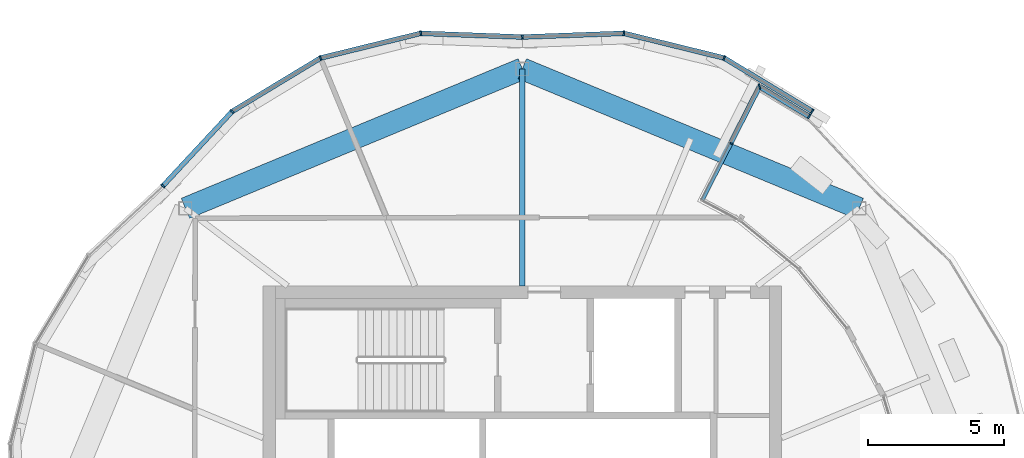
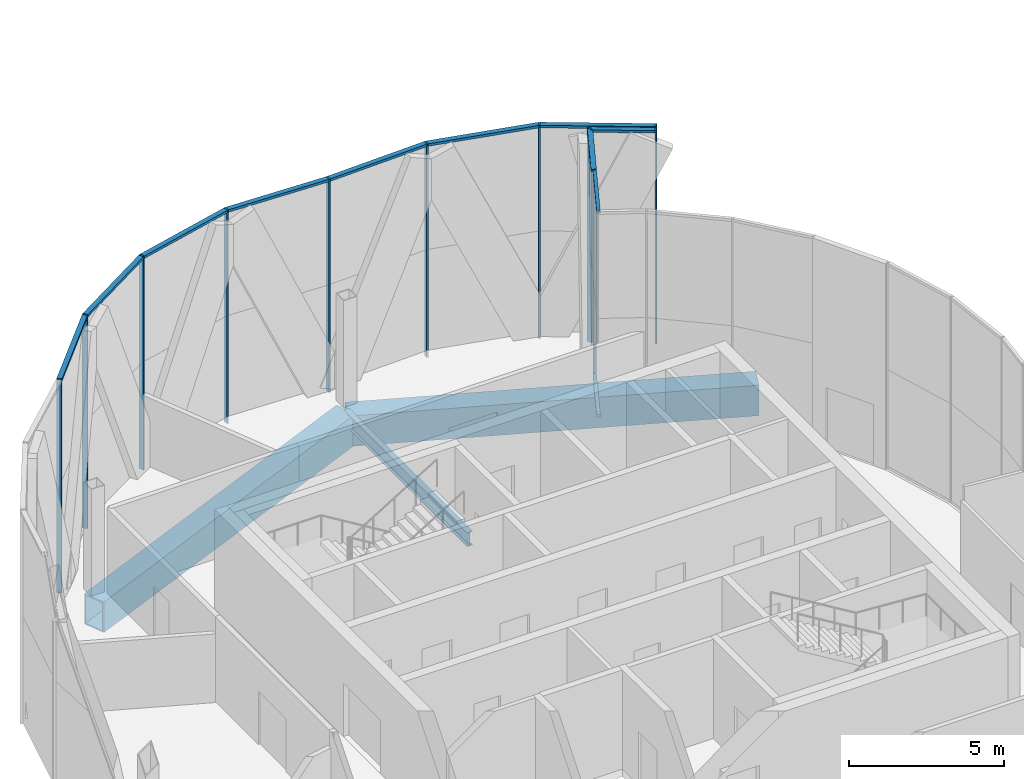
# One storey, part 8 of 24: 22 members, 3 beams, 4 elements without a shape of their own.
"""IFC4 building model written with IfcOpenShell, lengths in metres."""

from ifc_helpers import new_model, si_unit, direction, frame, origin, origin_2d, place, context, subcontext, project, spatial, rectangle, hollow_rectangle, i_section, extrude, material, material_profile, profile_set, type_object, element, aggregate, save


model = new_model("IFC4")

# Units and contexts
model_context = context("Model", 3, precision=1e-05, world=origin(), true_north=direction((0.0, 1.0)))
body_context = subcontext(model_context, "Body", "Model", "MODEL_VIEW")
ifc_project = project(units=[si_unit("LENGTHUNIT", "METRE"), si_unit("AREAUNIT", "SQUARE_METRE"), si_unit("VOLUMEUNIT", "CUBIC_METRE"), si_unit("PLANEANGLEUNIT", "RADIAN"), si_unit("MASSUNIT", "GRAM", prefix="KILO")], contexts=[model_context])

# Site, building, storey
site_placement = place(None, origin())
site = spatial("IfcSite", under=ifc_project, at=site_placement, CompositionType="ELEMENT")
building_placement = place(site_placement, origin())
building = spatial("IfcBuilding", under=site, at=building_placement, Name="Ogive Gate Towers", CompositionType="ELEMENT")
storey_placement = place(building_placement, frame((0.0, 0.0, 277.199951171875)))
storey = spatial("IfcBuildingStorey", under=building, at=storey_placement, Name="L65", CompositionType="ELEMENT", Elevation=277.199951171875)

# Beams
ifc_material_1 = material(Name="Steel SM460", Category="steel")
ifc_material_profile_1 = material_profile(ifc_material_1, hollow_rectangle(XDim=0.800048828125, YDim=1.199951171875, WallThickness=0.050048828125, at=origin_2d()), Name="BX 1200x800x50")
ifc_profile_set_1 = profile_set([ifc_material_profile_1], Name="Steel SM460")
beam_type_1 = type_object("IfcBeamType", Name="Edge girder BX 1200x800x50", PredefinedType="BEAM", material=ifc_profile_set_1)
for number, where, z_axis, x_axis, name in (
    (1, (-23.657470703125, 12.342529296875, -0.89990234375), (-0.923876732551, 0.382690191996, 0.0), (-0.382690191996, -0.923876732551, 0.0), "T1/L65/SBM021"),
    (2, (-36.0, 17.455078125, -0.89990234375), (-0.923876732551, -0.382690191996, 0.0), (0.382690191996, -0.923876732551, 0.0), "T1/L65/SBM022"),
):
    element("IfcBeam", number, at=place(storey_placement, frame(where, z_axis=z_axis, x_axis=x_axis)), inside=storey, type_object=beam_type_1, Name=name, PredefinedType="BEAM", context=body_context, shape_type="SweptSolid", body=[
        extrude(hollow_rectangle(XDim=0.800048828125, YDim=1.199951171875, WallThickness=0.050048828125, at=origin_2d()), origin(), (0.0, 0.0, 1.0), 13.359619140625),
    ])
ifc_material_2 = material(Name="Steel SM355", Category="steel")
ifc_material_profile_2 = material_profile(ifc_material_2, i_section(OverallWidth=0.2099609375, OverallDepth=0.550048828125, WebThickness=0.010986328125, FlangeThickness=0.01708984375, FilletRadius=0.02392578125, at=origin_2d()), Name="IPE 550")
ifc_profile_set_2 = profile_set([ifc_material_profile_2], Name="Steel SM355")
beam_type_2 = type_object("IfcBeamType", Name="Radial floor beam IPE 550", PredefinedType="BEAM", material=ifc_profile_set_2)
beam_placement = place(storey_placement, frame((-36.0, 9.5, -0.574951171875), z_axis=(0.0, 1.0, 0.0), x_axis=(-1.0, 0.0, 0.0)))
element("IfcBeam", 3, at=beam_placement, inside=storey, type_object=beam_type_2, Name="T1/L65/SBM011", PredefinedType="BEAM", context=body_context, shape_type="SweptSolid", body=[
    extrude(i_section(OverallWidth=0.2099609375, OverallDepth=0.550048828125, WebThickness=0.010986328125, FlangeThickness=0.01708984375, FilletRadius=0.02392578125, at=origin_2d()), origin(), (0.0, 0.0, 1.0), 7.955078125),
])

# Curtain wall, members
ifc_material_3 = material(Name="Pale metal aluminium", Category="aluminium")
curtain_wall_type_1 = type_object("IfcCurtainWallType", Name="Sky garden glazing", PredefinedType="NOTDEFINED", material=ifc_material_3)
curtain_wall_1_placement = place(storey_placement, origin())
curtain_wall_1 = element("IfcCurtainWall", 4, at=curtain_wall_1_placement, inside=storey, type_object=curtain_wall_type_1, Name="CW4 T1 ECW02", PredefinedType="NOTDEFINED")
ifc_material_profile_3 = material_profile(ifc_material_3, rectangle(XDim=0.1201171875, YDim=0.050048828125, at=origin_2d()), Name="50 x 120 aluminium box")
ifc_profile_set_3 = profile_set([ifc_material_profile_3], Name="Pale metal aluminium")
member_type_1 = type_object("IfcMemberType", Name="Sky garden glazing mullion 50 x 120", PredefinedType="MULLION", material=ifc_profile_set_3)
member_1_placement = place(storey_placement, frame((-28.344482421875, 14.71630859375, 0.0), z_axis=(0.0, 0.0, 1.0), x_axis=(-0.891014447682, 0.453974948673, 0.0)))
member_1 = element("IfcMember", 5, at=member_1_placement, type_object=member_type_1, Name="CW4 mullion", PredefinedType="MULLION", context=body_context, shape_type="SweptSolid", body=[
    extrude(rectangle(XDim=0.1201171875, YDim=0.050048828125, at=origin_2d()), origin(), (0.0, 0.0, 1.0), 8.10009765625),
])
ifc_material_profile_4 = material_profile(ifc_material_3, rectangle(XDim=0.1201171875, YDim=0.10009765625, at=origin_2d()), Name="100 x 120 aluminium box")
ifc_profile_set_4 = profile_set([ifc_material_profile_4], Name="Pale metal aluminium")
member_type_2 = type_object("IfcMemberType", Name="Sky garden glazing transom 100 x 120", PredefinedType="USERDEFINED", material=ifc_profile_set_4)
member_2_placement = place(storey_placement, frame((-28.35595703125, 14.694091796875, 8.050048828125), z_axis=(-0.453922594978, -0.891041120133, 0.0), x_axis=(0.891041120133, -0.453922594978, 0.0)))
member_2 = element("IfcMember", 6, at=member_2_placement, type_object=member_type_2, Name="CW4 transom", ObjectType="TRANSOM", PredefinedType="USERDEFINED", context=body_context, shape_type="SweptSolid", body=[
    extrude(rectangle(XDim=0.1201171875, YDim=0.10009765625, at=origin_2d()), origin(), (0.0, 0.0, 1.0), 2.29541015625),
])
member_3_placement = place(storey_placement, frame((-28.35595703125, 14.694091796875, 0.050048828125), z_axis=(-0.453922594978, -0.891041120133, 0.0), x_axis=(0.891041120133, -0.453922594978, 0.0)))
member_3 = element("IfcMember", 7, at=member_3_placement, type_object=member_type_2, Name="CW4 transom", ObjectType="TRANSOM", PredefinedType="USERDEFINED", context=body_context, shape_type="SweptSolid", body=[
    extrude(rectangle(XDim=0.1201171875, YDim=0.10009765625, at=origin_2d()), origin(), (0.0, 0.0, 1.0), 2.29541015625),
])
aggregate(curtain_wall_1, [member_1, member_2, member_3])

curtain_wall_type_2 = type_object("IfcCurtainWallType", Name="Tower unitised wall, high zone", PredefinedType="NOTDEFINED", material=ifc_material_3)
curtain_wall_2_placement = place(storey_placement, origin())
curtain_wall_2 = element("IfcCurtainWall", 8, at=curtain_wall_2_placement, inside=storey, type_object=curtain_wall_type_2, Name="CW2 T1 ECW04", PredefinedType="NOTDEFINED")
ifc_material_profile_5 = material_profile(ifc_material_3, rectangle(XDim=0.179931640625, YDim=0.06005859375, at=origin_2d()), Name="60 x 180 aluminium box")
ifc_profile_set_5 = profile_set([ifc_material_profile_5], Name="Pale metal aluminium")
member_type_3 = type_object("IfcMemberType", Name="Tower unitised wall, high zone mullion 60 x 180", PredefinedType="MULLION", material=ifc_profile_set_5)
member_4_placement = place(storey_placement, frame((-36.00048828125, 18.6201171875, -0.300048828125), z_axis=(0.0, 0.0, 1.0), x_axis=(0.036294875066, -0.999341123963, 0.0)))
member_4 = element("IfcMember", 9, at=member_4_placement, type_object=member_type_3, Name="CW2 mullion", PredefinedType="MULLION", context=body_context, shape_type="SweptSolid", body=[
    extrude(rectangle(XDim=0.179931640625, YDim=0.06005859375, at=origin_2d()), origin(), (0.0, 0.0, 1.0), 8.400146484375),
])
member_5_placement = place(storey_placement, frame((-32.280029296875, 18.755126953125, -0.300048828125), z_axis=(0.0, 0.0, 1.0), x_axis=(-0.102393229213, -0.99474400054, 0.0)))
member_5 = element("IfcMember", 10, at=member_5_placement, type_object=member_type_3, Name="CW2 mullion", PredefinedType="MULLION", context=body_context, shape_type="SweptSolid", body=[
    extrude(rectangle(XDim=0.179931640625, YDim=0.06005859375, at=origin_2d()), origin(), (0.0, 0.0, 1.0), 8.400146484375),
])
member_6_placement = place(storey_placement, frame((-28.606201171875, 17.850341796875, -0.300048828125), z_axis=(0.0, 0.0, 1.0), x_axis=(-0.382683432365, -0.923879532511, 0.0)))
member_6 = element("IfcMember", 11, at=member_6_placement, type_object=member_type_3, Name="CW2 mullion", PredefinedType="MULLION", context=body_context, shape_type="SweptSolid", body=[
    extrude(rectangle(XDim=0.179931640625, YDim=0.06005859375, at=origin_2d()), origin(), (0.0, 0.0, 1.0), 8.400146484375),
])
member_7_placement = place(storey_placement, frame((-25.381591796875, 15.900390625, -0.300048828125), z_axis=(0.0, 0.0, 1.0), x_axis=(-0.517534269031, -0.855662480408, 0.0)))
member_7 = element("IfcMember", 12, at=member_7_placement, type_object=member_type_3, Name="CW2 mullion", PredefinedType="MULLION", context=body_context, shape_type="SweptSolid", body=[
    extrude(rectangle(XDim=0.179931640625, YDim=0.06005859375, at=origin_2d()), origin(), (0.0, 0.0, 1.0), 8.400146484375),
])

curtain_wall_3_placement = place(storey_placement, origin())
curtain_wall_3 = element("IfcCurtainWall", 13, at=curtain_wall_3_placement, inside=storey, type_object=curtain_wall_type_2, Name="CW2 T1 ECW04b", PredefinedType="NOTDEFINED")
member_8_placement = place(storey_placement, frame((-25.49560546875, 15.712158203125, -0.300048828125), z_axis=(0.0, 0.0, 1.0), x_axis=(0.517519334825, 0.855671512955, 0.0)))
member_8 = element("IfcMember", 14, at=member_8_placement, type_object=member_type_3, Name="CW2 mullion", PredefinedType="MULLION", context=body_context, shape_type="SweptSolid", body=[
    extrude(rectangle(XDim=0.179931640625, YDim=0.06005859375, at=origin_2d()), origin(), (0.0, 0.0, 1.0), 8.400146484375),
])
member_9_placement = place(storey_placement, frame((-27.3125, 16.814697265625, -0.300048828125), z_axis=(0.0, 0.0, 1.0), x_axis=(-0.27424456102, 0.961659981881, 0.0)))
member_9 = element("IfcMember", 15, at=member_9_placement, type_object=member_type_3, Name="CW2 mullion", PredefinedType="MULLION", context=body_context, shape_type="SweptSolid", body=[
    extrude(rectangle(XDim=0.179931640625, YDim=0.06005859375, at=origin_2d()), origin(), (0.0, 0.0, 1.0), 8.400146484375),
])

curtain_wall_4_placement = place(storey_placement, origin())
curtain_wall_4 = element("IfcCurtainWall", 16, at=curtain_wall_4_placement, inside=storey, type_object=curtain_wall_type_2, Name="CW2 T1 ECW05", PredefinedType="NOTDEFINED")
member_10_placement = place(storey_placement, frame((-49.16650390625, 13.166015625, -0.300048828125), z_axis=(0.0, 0.0, 1.0), x_axis=(0.732317122925, -0.680963751951, 0.0)))
member_10 = element("IfcMember", 17, at=member_10_placement, type_object=member_type_3, Name="CW2 mullion", PredefinedType="MULLION", context=body_context, shape_type="SweptSolid", body=[
    extrude(rectangle(XDim=0.179931640625, YDim=0.06005859375, at=origin_2d()), origin(), (0.0, 0.0, 1.0), 8.400146484375),
])
member_11_placement = place(storey_placement, frame((-46.63134765625, 15.892333984375, -0.300048828125), z_axis=(0.0, 0.0, 1.0), x_axis=(0.631000821652, -0.775782162127, 0.0)))
member_11 = element("IfcMember", 18, at=member_11_placement, type_object=member_type_3, Name="CW2 mullion", PredefinedType="MULLION", context=body_context, shape_type="SweptSolid", body=[
    extrude(rectangle(XDim=0.179931640625, YDim=0.06005859375, at=origin_2d()), origin(), (0.0, 0.0, 1.0), 8.400146484375),
])
member_12_placement = place(storey_placement, frame((-43.393798828125, 17.850341796875, -0.300048828125), z_axis=(0.0, 0.0, 1.0), x_axis=(0.382683432365, -0.923879532511, 0.0)))
member_12 = element("IfcMember", 19, at=member_12_placement, type_object=member_type_3, Name="CW2 mullion", PredefinedType="MULLION", context=body_context, shape_type="SweptSolid", body=[
    extrude(rectangle(XDim=0.179931640625, YDim=0.06005859375, at=origin_2d()), origin(), (0.0, 0.0, 1.0), 8.400146484375),
])
member_13_placement = place(storey_placement, frame((-39.719970703125, 18.755126953125, -0.300048828125), z_axis=(0.0, 0.0, 1.0), x_axis=(0.102393229213, -0.99474400054, 0.0)))
member_13 = element("IfcMember", 20, at=member_13_placement, type_object=member_type_3, Name="CW2 mullion", PredefinedType="MULLION", context=body_context, shape_type="SweptSolid", body=[
    extrude(rectangle(XDim=0.179931640625, YDim=0.06005859375, at=origin_2d()), origin(), (0.0, 0.0, 1.0), 8.400146484375),
])

# Member
ifc_material_profile_6 = material_profile(ifc_material_3, rectangle(XDim=0.179931640625, YDim=0.10009765625, at=origin_2d()), Name="100 x 180 aluminium box")
ifc_profile_set_6 = profile_set([ifc_material_profile_6], Name="Pale metal aluminium")
member_type_4 = type_object("IfcMemberType", Name="Tower unitised wall, high zone transom 100 x 180", PredefinedType="USERDEFINED", material=ifc_profile_set_6)
member_14_placement = place(storey_placement, frame((-35.970458984375, 18.62109375, 8.050048828125), z_axis=(0.999339541971, 0.036338407418, 0.0), x_axis=(-0.036338407418, 0.999339541971, 0.0)))
member_14 = element("IfcMember", 21, at=member_14_placement, type_object=member_type_4, Name="CW2 transom", ObjectType="TRANSOM", PredefinedType="USERDEFINED", context=body_context, shape_type="SweptSolid", body=[
    extrude(rectangle(XDim=0.179931640625, YDim=0.10009765625, at=origin_2d()), origin(), (0.0, 0.0, 1.0), 3.66162109375),
])

member_15_placement = place(storey_placement, frame((-32.24951171875, 18.747802734375, 8.050048828125), z_axis=(0.970993320083, -0.239106612946, 0.0), x_axis=(0.239106612946, 0.970993320083, 0.0)))
member_15 = element("IfcMember", 22, at=member_15_placement, type_object=member_type_4, Name="CW2 transom", ObjectType="TRANSOM", PredefinedType="USERDEFINED", context=body_context, shape_type="SweptSolid", body=[
    extrude(rectangle(XDim=0.179931640625, YDim=0.10009765625, at=origin_2d()), origin(), (0.0, 0.0, 1.0), 3.720703125),
])

member_16_placement = place(storey_placement, frame((-28.5791015625, 17.834228515625, 8.050048828125), z_axis=(0.855674328601, -0.517514679379, 0.0), x_axis=(0.517514679379, 0.855674328601, 0.0)))
member_16 = element("IfcMember", 23, at=member_16_placement, type_object=member_type_4, Name="CW2 transom", ObjectType="TRANSOM", PredefinedType="USERDEFINED", context=body_context, shape_type="SweptSolid", body=[
    extrude(rectangle(XDim=0.179931640625, YDim=0.10009765625, at=origin_2d()), origin(), (0.0, 0.0, 1.0), 3.70654296875),
])

aggregate(curtain_wall_2, [member_4, member_5, member_14, member_6, member_15, member_7, member_16])

member_17_placement = place(storey_placement, frame((-25.521240234375, 15.727783203125, 8.050048828125), z_axis=(-0.855721067703, 0.517437391661, 0.0), x_axis=(-0.517437391661, -0.855721067703, 0.0)))
member_17 = element("IfcMember", 24, at=member_17_placement, type_object=member_type_4, Name="CW2 transom", ObjectType="TRANSOM", PredefinedType="USERDEFINED", context=body_context, shape_type="SweptSolid", body=[
    extrude(rectangle(XDim=0.179931640625, YDim=0.10009765625, at=origin_2d()), origin(), (0.0, 0.0, 1.0), 2.07275390625),
])

member_18_placement = place(storey_placement, frame((-27.320068359375, 16.793212890625, 8.050048828125), z_axis=(-0.45395138232, -0.891026454427, 0.0), x_axis=(0.891026454427, -0.45395138232, 0.0)))
member_18 = element("IfcMember", 25, at=member_18_placement, type_object=member_type_4, Name="CW2 transom", ObjectType="TRANSOM", PredefinedType="USERDEFINED", context=body_context, shape_type="SweptSolid", body=[
    extrude(rectangle(XDim=0.179931640625, YDim=0.10009765625, at=origin_2d()), origin(), (0.0, 0.0, 1.0), 2.28564453125),
])

aggregate(curtain_wall_3, [member_8, member_9, member_17, member_18])

member_19_placement = place(storey_placement, frame((-49.146240234375, 13.18798828125, 8.050048828125), z_axis=(0.680970094206, 0.732311225366, 0.0), x_axis=(-0.732311225366, 0.680970094206, 0.0)))
member_19 = element("IfcMember", 26, at=member_19_placement, type_object=member_type_4, Name="CW2 transom", ObjectType="TRANSOM", PredefinedType="USERDEFINED", context=body_context, shape_type="SweptSolid", body=[
    extrude(rectangle(XDim=0.179931640625, YDim=0.10009765625, at=origin_2d()), origin(), (0.0, 0.0, 1.0), 3.66162109375),
])

member_20_placement = place(storey_placement, frame((-46.6044921875, 15.90869140625, 8.050048828125), z_axis=(0.855663733018, 0.51753219803, 0.0), x_axis=(-0.51753219803, 0.855663733018, 0.0)))
member_20 = element("IfcMember", 27, at=member_20_placement, type_object=member_type_4, Name="CW2 transom", ObjectType="TRANSOM", PredefinedType="USERDEFINED", context=body_context, shape_type="SweptSolid", body=[
    extrude(rectangle(XDim=0.179931640625, YDim=0.10009765625, at=origin_2d()), origin(), (0.0, 0.0, 1.0), 3.720703125),
])

member_21_placement = place(storey_placement, frame((-43.36328125, 17.858154296875, 8.050048828125), z_axis=(0.970993320083, 0.239106612946, 0.0), x_axis=(-0.239106612946, 0.970993320083, 0.0)))
member_21 = element("IfcMember", 28, at=member_21_placement, type_object=member_type_4, Name="CW2 transom", ObjectType="TRANSOM", PredefinedType="USERDEFINED", context=body_context, shape_type="SweptSolid", body=[
    extrude(rectangle(XDim=0.179931640625, YDim=0.10009765625, at=origin_2d()), origin(), (0.0, 0.0, 1.0), 3.720703125),
])

member_22_placement = place(storey_placement, frame((-39.688720703125, 18.754150390625, 8.050048828125), z_axis=(0.999339541971, -0.036338407418, 0.0), x_axis=(0.036338407418, 0.999339541971, 0.0)))
member_22 = element("IfcMember", 29, at=member_22_placement, type_object=member_type_4, Name="CW2 transom", ObjectType="TRANSOM", PredefinedType="USERDEFINED", context=body_context, shape_type="SweptSolid", body=[
    extrude(rectangle(XDim=0.179931640625, YDim=0.10009765625, at=origin_2d()), origin(), (0.0, 0.0, 1.0), 3.66162109375),
])

aggregate(curtain_wall_4, [member_10, member_11, member_19, member_12, member_20, member_13, member_21, member_22])

save(model, "model.ifc")
